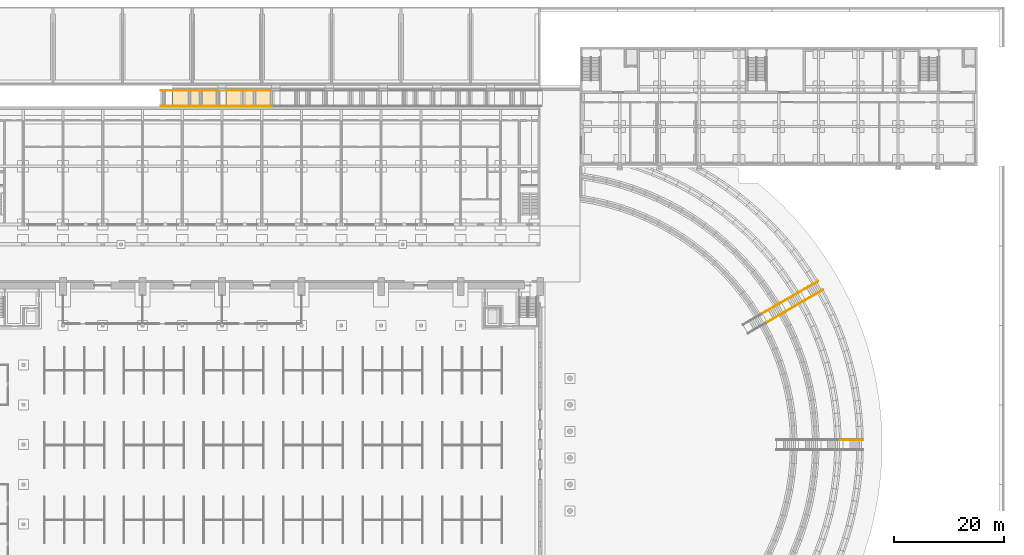
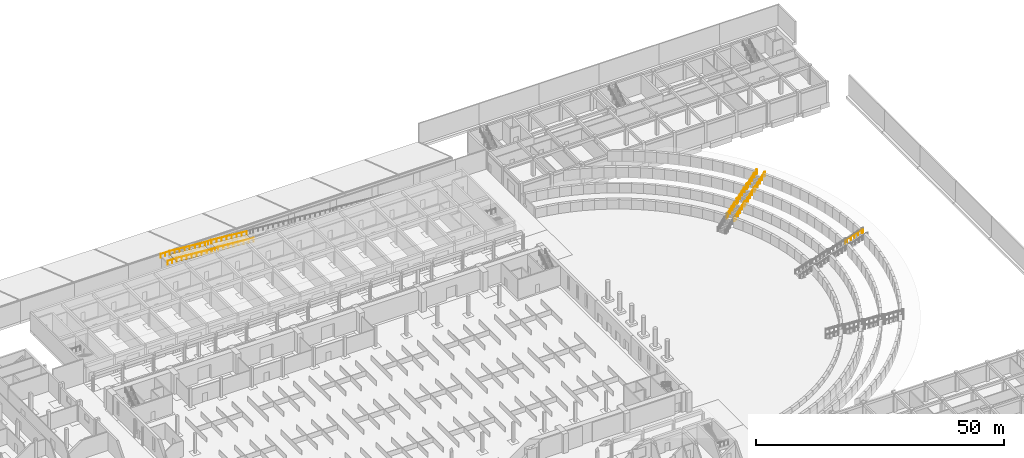
# One storey, part 71 of 73: 17 railings, 2 coverings, 4 elements without a shape of their own.
"""IFC4 building model written with IfcOpenShell, lengths in metres."""

import ifcopenshell
import ifcopenshell.guid

model = None  # the IFC model being written
_history = None  # IfcOwnerHistory: only IFC2X3 demands one
_inside = {}  # id of a spatial element -> (the spatial element, [elements in it])
_under = {}  # id of a project, library or spatial element -> (it, [spatial elements below it])
_declared = {}  # id of a project -> (the project, [libraries it declares])
_typed = {}  # id of a type object -> (the type object, [elements of that type])
_made_of = {}  # id of a material, layer set ... -> (it, [elements and type objects made of it])


def new_model(schema):
    """Start an empty IFC model of exactly this schema.

    Asked for "IFC4X3", IfcOpenShell would pick the latest addendum, in which some entities
    have other attributes; the version numbers below select the first issue.
    IFC2X3 requires an IfcOwnerHistory on every rooted entity: one is made here for all.
    """
    global model, _history
    if schema == "IFC4X3":
        model = ifcopenshell.file(schema_version=(4, 3, 0, 0))
    else:
        model = ifcopenshell.file(schema=schema)
    _inside.clear()
    _under.clear()
    _declared.clear()
    _typed.clear()
    _made_of.clear()
    _history = None
    if model.schema == "IFC2X3":
        org = make("IfcOrganization", Name="unknown")
        user = make(
            "IfcPersonAndOrganization",
            ThePerson=make("IfcPerson", FamilyName="unknown"),
            TheOrganization=org,
        )
        app = make(
            "IfcApplication",
            ApplicationDeveloper=org,
            Version="unknown",
            ApplicationFullName="unknown",
            ApplicationIdentifier="unknown",
        )
        _history = make(
            "IfcOwnerHistory",
            OwningUser=user,
            OwningApplication=app,
            ChangeAction="ADDED",
            CreationDate=0,
        )
    return model


def make(cls, **values):
    """One entity of the class cls with the attributes given. An attribute that is None is left unset."""
    return model.create_entity(
        cls, **{name: value for name, value in values.items() if value is not None}
    )


def rooted(cls, **values):
    """An entity with a GlobalId (a new one), such as an element, a storey or a relation."""
    return make(cls, GlobalId=ifcopenshell.guid.new(), OwnerHistory=_history, **values)


def si_unit(unit_type, name, prefix=None):
    """IfcSIUnit, for example si_unit("LENGTHUNIT", "METRE", prefix="MILLI")."""
    return make("IfcSIUnit", UnitType=unit_type, Prefix=prefix, Name=name)


def assignment(units):
    """IfcUnitAssignment: the units of a project."""
    return None if units is None else make("IfcUnitAssignment", Units=units)


def point(xyz):
    """IfcCartesianPoint."""
    return None if xyz is None else make("IfcCartesianPoint", Coordinates=xyz)


def direction(xyz):
    """IfcDirection."""
    return None if xyz is None else make("IfcDirection", DirectionRatios=xyz)


def frame(location, z_axis=None, x_axis=None):
    """IfcAxis2Placement3D, a coordinate frame: its origin and axes. An axis left out is left unset."""
    return make(
        "IfcAxis2Placement3D",
        Location=point(location),
        Axis=direction(z_axis),
        RefDirection=direction(x_axis),
    )


def frame_2d(location, x_axis=None):
    """IfcAxis2Placement2D, a coordinate frame in the plane: its origin and x axis."""
    return make(
        "IfcAxis2Placement2D", Location=point(location), RefDirection=direction(x_axis)
    )


def origin():
    """The frame at (0, 0, 0) with its axes left unset."""
    return frame((0.0, 0.0, 0.0))


def origin_2d():
    """The frame at (0, 0) in the plane with its x axis left unset."""
    return frame_2d((0.0, 0.0))


def place(relative_to, where):
    """IfcLocalPlacement: puts the frame where relative to a parent placement (None: the world)."""
    return make(
        "IfcLocalPlacement", PlacementRelTo=relative_to, RelativePlacement=where
    )


def context(
    kind, dimensions, precision=None, world=None, true_north=None, identifier=None
):
    """IfcGeometricRepresentationContext, for example the 3D "Model" context."""
    return make(
        "IfcGeometricRepresentationContext",
        ContextIdentifier=identifier,
        ContextType=kind,
        CoordinateSpaceDimension=dimensions,
        Precision=precision,
        WorldCoordinateSystem=world,
        TrueNorth=true_north,
    )


def subcontext(parent, identifier, kind, view, scale=None):
    """IfcGeometricRepresentationSubContext, for example "Body" below "Model"."""
    return make(
        "IfcGeometricRepresentationSubContext",
        ContextIdentifier=identifier,
        ContextType=kind,
        ParentContext=parent,
        TargetScale=scale,
        TargetView=view,
    )


def project(units=None, contexts=None):
    """IfcProject with its units and contexts."""
    return rooted(
        "IfcProject",
        Name="project",
        RepresentationContexts=contexts,
        UnitsInContext=assignment(units),
    )


def spatial(cls, under=None, at=None, **own):
    """A site, building, storey or space (cls), placed at a placement, below another one or the project."""
    s = rooted(cls, ObjectPlacement=at, **own)
    if under is not None:
        _under.setdefault(under.id(), (under, []))[1].append(s)
    return s


def polyline(points):
    """IfcPolyline through the points."""
    return make("IfcPolyline", Points=[point(p) for p in points])


def profile(cls, at=None, kind="AREA", **sizes):
    """A parametric profile (cls). Its sizes go by their IFC names, for example OverallWidth=200.0."""
    return make(cls, ProfileType=kind, Position=at, **sizes)


def circle(**sizes):
    """IfcCircleProfileDef."""
    return profile("IfcCircleProfileDef", **sizes)


def outline(outer, holes=None, kind="AREA"):
    """IfcArbitraryClosedProfileDef: a profile drawn as a closed curve; with holes, ...WithVoids."""
    if holes is None:
        return make("IfcArbitraryClosedProfileDef", ProfileType=kind, OuterCurve=outer)
    return make(
        "IfcArbitraryProfileDefWithVoids",
        ProfileType=kind,
        OuterCurve=outer,
        InnerCurves=holes,
    )


def extrude(swept, where, along, depth):
    """IfcExtrudedAreaSolid: the profile swept, set in the frame where, extruded along a direction by depth."""
    return make(
        "IfcExtrudedAreaSolid",
        SweptArea=swept,
        Position=where,
        ExtrudedDirection=direction(along),
        Depth=depth,
    )


def shape(context_of_items, identifier, shape_type, items):
    """IfcShapeRepresentation: the items that make up one representation, for example the "Body"."""
    return make(
        "IfcShapeRepresentation",
        ContextOfItems=context_of_items,
        RepresentationIdentifier=identifier,
        RepresentationType=shape_type,
        Items=items,
    )


def material(Name=None, Category=None):
    """IfcMaterial."""
    return make("IfcMaterial", Name=Name, Category=Category)


def layer(
    of_material, thickness, ventilated=None, Name=None, Category=None, Priority=None
):
    """IfcMaterialLayer: one layer of a wall or slab, of a material (None: an air gap)."""
    return make(
        "IfcMaterialLayer",
        Material=of_material,
        LayerThickness=thickness,
        IsVentilated=ventilated,
        Name=Name,
        Category=Category,
        Priority=Priority,
    )


def layer_set(layers, Name=None):
    """IfcMaterialLayerSet."""
    return make("IfcMaterialLayerSet", MaterialLayers=layers, LayerSetName=Name)


def made_of(thing, what):
    """Note that an element or type object is made of a material, layer set ...; save() writes the relation."""
    if what is not None:
        _made_of.setdefault(what.id(), (what, []))[1].append(thing)
    return thing


def type_object(cls, material=None, **own):
    """A type object (cls), such as IfcWallType, which elements share."""
    return made_of(rooted(cls, **own), material)


def element(
    cls,
    number,
    at=None,
    inside=None,
    cuts=None,
    type_object=None,
    material=None,
    context=None,
    identifier="Body",
    shape_type=None,
    held_by="IfcProductDefinitionShape",
    body=None,
    shapes=None,
    **own,
):
    """One element of the class cls, such as IfcWall. Its Tag is "e" and its number.

    at: its placement. inside: the storey or other place that contains it. cuts: it is an
    opening in that element (IfcRelVoidsElement). A single representation is given by context,
    identifier, shape_type and body (its items); several are given by shapes. held_by: the class
    of the entity that holds the representations. save() writes the other relations.
    """
    e = rooted(cls, Tag="e%d" % number, ObjectPlacement=at, **own)
    if body is not None:
        shapes = [shape(context, identifier, shape_type, body)]
    if shapes is not None:
        e.Representation = make(held_by, Representations=shapes)
    if inside is not None:
        _inside.setdefault(inside.id(), (inside, []))[1].append(e)
    if cuts is not None:
        rooted(
            "IfcRelVoidsElement", RelatingBuildingElement=cuts, RelatedOpeningElement=e
        )
    if type_object is not None:
        _typed.setdefault(type_object.id(), (type_object, []))[1].append(e)
    return made_of(e, material)


def aggregate(whole, parts):
    """IfcRelAggregates: a whole, such as a stair, and the parts it consists of."""
    return rooted("IfcRelAggregates", RelatingObject=whole, RelatedObjects=parts)


def save(model, path):
    """Write the relations noted so far, then the file.

    IfcRelAggregates (storeys below a building ...), IfcRelContainedInSpatialStructure (elements
    in a storey), IfcRelDefinesByType, IfcRelAssociatesMaterial and IfcRelDeclares: one each for
    every whole, place, type object, material and project.
    """
    for whole, parts in _under.values():
        aggregate(whole, parts)
    for where, things in _inside.values():
        rooted(
            "IfcRelContainedInSpatialStructure",
            RelatedElements=things,
            RelatingStructure=where,
        )
    for kind, things in _typed.values():
        rooted("IfcRelDefinesByType", RelatedObjects=things, RelatingType=kind)
    for what, things in _made_of.values():
        rooted("IfcRelAssociatesMaterial", RelatedObjects=things, RelatingMaterial=what)
    for by, libraries in _declared.values():
        rooted("IfcRelDeclares", RelatingContext=by, RelatedDefinitions=libraries)
    model.write(path)


model = new_model("IFC4")

# Units and contexts
model_context = context("Model", 3, precision=1e-05, world=origin(), true_north=direction((0.0, 1.0)))
body_context = subcontext(model_context, "Body", "Model", "MODEL_VIEW")
ifc_project = project(units=[si_unit("LENGTHUNIT", "METRE"), si_unit("AREAUNIT", "SQUARE_METRE"), si_unit("VOLUMEUNIT", "CUBIC_METRE"), si_unit("PLANEANGLEUNIT", "RADIAN"), si_unit("MASSUNIT", "GRAM", prefix="KILO")], contexts=[model_context])

# Site, building, storey
site_placement = place(None, origin())
site = spatial("IfcSite", under=ifc_project, at=site_placement, CompositionType="ELEMENT")
building_placement = place(site_placement, origin())
building = spatial("IfcBuilding", under=site, at=building_placement, Name="Alderwick Market Hall", CompositionType="ELEMENT")
storey_placement = place(building_placement, origin())
storey = spatial("IfcBuildingStorey", under=building, at=storey_placement, Name="LG", CompositionType="ELEMENT", Elevation=0.0)

# Stair, railings
ifc_material_1 = material(Name="Concrete 5000 psi (f'c 35 MPa)", Category="concrete")
stair_type = type_object("IfcStairType", Name="S Garden Stair", PredefinedType="STRAIGHT_RUN_STAIR", material=ifc_material_1)
stair_1_placement = place(storey_placement, origin())
stair_1 = element("IfcStair", 1, at=stair_1_placement, inside=storey, type_object=stair_type, Name="Terrace stair 2.3", PredefinedType="STRAIGHT_RUN_STAIR")
ifc_material_2 = material(Name="Steel ASTM A500 Grade C", Category="steel")
railing_type_1 = type_object("IfcRailingType", Name="S Guard 1100", PredefinedType="GUARDRAIL", material=ifc_material_2)
railing_1_placement = place(storey_placement, frame((190.95849609375, 102.731689453125, 1.050048828125)))
railing_1 = element("IfcRailing", 2, at=railing_1_placement, type_object=railing_type_1, Name="Stair 2.3 guard L", PredefinedType="GUARDRAIL", context=body_context, shape_type="SweptSolid", body=[
    extrude(circle(Radius=0.02490234375, at=origin_2d()), frame((0.0, 0.0, 1.0751953125), z_axis=(0.817718032598, 0.472768306617, 0.328370746904), x_axis=(-0.5005228413, 0.865723330711, 0.0)), (0.0, 0.0, 1.0), 0.45654296875),
    extrude(circle(Radius=0.02490234375, at=origin_2d()), frame((0.373291015625, 0.2158203125, 1.22509765625), z_axis=(0.817951966849, 0.4722706813, 0.328504160571), x_axis=(-0.500020560727, 0.866013532718, 0.0)), (0.0, 0.0, 1.0), 3.65283203125),
    extrude(circle(Radius=0.02490234375, at=origin_2d()), frame((3.361083984375, 1.94091796875, 2.4248046875), z_axis=(0.866131372301, 0.499816412211, 0.0), x_axis=(-0.499816412211, 0.866131372301, 0.0)), (0.0, 0.0, 1.0), 0.2998046875),
    extrude(circle(Radius=0.02001953125, at=origin_2d()), origin(), (0.0, 0.0, 1.0), 1.050048828125),
    extrude(circle(Radius=0.02001953125, at=origin_2d()), frame((0.373291015625, 0.2158203125, 0.14990234375)), (0.0, 0.0, 1.0), 1.050048828125),
    extrude(circle(Radius=0.02001953125, at=origin_2d()), frame((1.1201171875, 0.64697265625, 0.449951171875)), (0.0, 0.0, 1.0), 1.050048828125),
    extrude(circle(Radius=0.02001953125, at=origin_2d()), frame((1.8671875, 1.078369140625, 0.75)), (0.0, 0.0, 1.0), 1.050048828125),
    extrude(circle(Radius=0.02001953125, at=origin_2d()), frame((2.6142578125, 1.509765625, 1.0498046875)), (0.0, 0.0, 1.0), 1.050048828125),
    extrude(circle(Radius=0.02001953125, at=origin_2d()), frame((3.361083984375, 1.94091796875, 1.349853515625)), (0.0, 0.0, 1.0), 1.050048828125),
    extrude(circle(Radius=0.02001953125, at=origin_2d()), frame((3.620849609375, 2.0908203125, 1.349853515625)), (0.0, 0.0, 1.0), 1.050048828125),
])
railing_2_placement = place(storey_placement, frame((191.908447265625, 101.08642578125, 1.050048828125)))
railing_2 = element("IfcRailing", 3, at=railing_2_placement, type_object=railing_type_1, Name="Stair 2.3 guard R", PredefinedType="GUARDRAIL", context=body_context, shape_type="SweptSolid", body=[
    extrude(circle(Radius=0.02490234375, at=origin_2d()), frame((0.0, 0.0, 1.0751953125), z_axis=(0.817924745205, 0.472352877708, 0.328453756413), x_axis=(-0.500098305348, 0.865968639725, 0.0)), (0.0, 0.0, 1.0), 0.456298828125),
    extrude(circle(Radius=0.02490234375, at=origin_2d()), frame((0.373291015625, 0.215576171875, 1.22509765625), z_axis=(0.817951966849, 0.4722706813, 0.328504160571), x_axis=(-0.500020560727, 0.866013532718, 0.0)), (0.0, 0.0, 1.0), 3.65283203125),
    extrude(circle(Radius=0.02490234375, at=origin_2d()), frame((3.361083984375, 1.940673828125, 2.4248046875), z_axis=(0.866131372301, 0.499816412211, 0.0), x_axis=(-0.499816412211, 0.866131372301, 0.0)), (0.0, 0.0, 1.0), 0.2998046875),
    extrude(circle(Radius=0.02001953125, at=origin_2d()), origin(), (0.0, 0.0, 1.0), 1.050048828125),
    extrude(circle(Radius=0.02001953125, at=origin_2d()), frame((0.373291015625, 0.215576171875, 0.14990234375)), (0.0, 0.0, 1.0), 1.050048828125),
    extrude(circle(Radius=0.02001953125, at=origin_2d()), frame((1.1201171875, 0.64697265625, 0.449951171875)), (0.0, 0.0, 1.0), 1.050048828125),
    extrude(circle(Radius=0.02001953125, at=origin_2d()), frame((1.8671875, 1.078125, 0.75)), (0.0, 0.0, 1.0), 1.050048828125),
    extrude(circle(Radius=0.02001953125, at=origin_2d()), frame((2.6142578125, 1.50927734375, 1.0498046875)), (0.0, 0.0, 1.0), 1.050048828125),
    extrude(circle(Radius=0.02001953125, at=origin_2d()), frame((3.361083984375, 1.940673828125, 1.349853515625)), (0.0, 0.0, 1.0), 1.050048828125),
    extrude(circle(Radius=0.02001953125, at=origin_2d()), frame((3.620849609375, 2.090576171875, 1.349853515625)), (0.0, 0.0, 1.0), 1.050048828125),
])

stair_2_placement = place(storey_placement, origin())
stair_2 = element("IfcStair", 4, at=stair_2_placement, inside=storey, type_object=stair_type, Name="Terrace stair 3.3", PredefinedType="STRAIGHT_RUN_STAIR")
railing_3_placement = place(storey_placement, frame((194.423095703125, 104.732421875, 2.25)))
railing_3 = element("IfcRailing", 5, at=railing_3_placement, type_object=railing_type_1, Name="Stair 3.3 guard L", PredefinedType="GUARDRAIL", context=body_context, shape_type="SweptSolid", body=[
    extrude(circle(Radius=0.02490234375, at=origin_2d()), frame((0.0, 0.0, 1.0751953125), z_axis=(0.818101694041, 0.472146271789, 0.328310091595), x_axis=(-0.499853131152, 0.86611018195, 0.0)), (0.0, 0.0, 1.0), 0.45654296875),
    extrude(circle(Radius=0.02490234375, at=origin_2d()), frame((0.37353515625, 0.215576171875, 1.22509765625), z_axis=(0.817959822953, 0.472208379569, 0.328574153427), x_axis=(-0.499967486139, 0.866044174857, 0.0)), (0.0, 0.0, 1.0), 3.65283203125),
    extrude(circle(Radius=0.02490234375, at=origin_2d()), frame((3.361328125, 1.9404296875, 2.42529296875), z_axis=(0.865778900179, 0.500426713919, 0.0), x_axis=(-0.500426713919, 0.865778900179, 0.0)), (0.0, 0.0, 1.0), 0.300048828125),
    extrude(circle(Radius=0.02001953125, at=origin_2d()), origin(), (0.0, 0.0, 1.0), 1.050048828125),
    extrude(circle(Radius=0.02001953125, at=origin_2d()), frame((0.37353515625, 0.215576171875, 0.14990234375)), (0.0, 0.0, 1.0), 1.050048828125),
    extrude(circle(Radius=0.02001953125, at=origin_2d()), frame((1.12060546875, 0.646728515625, 0.449951171875)), (0.0, 0.0, 1.0), 1.050048828125),
    extrude(circle(Radius=0.02001953125, at=origin_2d()), frame((1.867431640625, 1.078125, 0.75)), (0.0, 0.0, 1.0), 1.050048828125),
    extrude(circle(Radius=0.02001953125, at=origin_2d()), frame((2.6142578125, 1.50927734375, 1.050048828125)), (0.0, 0.0, 1.0), 1.050048828125),
    extrude(circle(Radius=0.02001953125, at=origin_2d()), frame((3.361328125, 1.9404296875, 1.35009765625)), (0.0, 0.0, 1.0), 1.050048828125),
    extrude(circle(Radius=0.02001953125, at=origin_2d()), frame((3.62109375, 2.090576171875, 1.35009765625)), (0.0, 0.0, 1.0), 1.050048828125),
])
railing_4_placement = place(storey_placement, frame((195.373291015625, 103.0869140625, 2.25)))
railing_4 = element("IfcRailing", 6, at=railing_4_placement, type_object=railing_type_1, Name="Stair 3.3 guard R", PredefinedType="GUARDRAIL", context=body_context, shape_type="SweptSolid", body=[
    extrude(circle(Radius=0.02490234375, at=origin_2d()), frame((0.0, 0.0, 1.0751953125), z_axis=(0.817924745205, 0.472352877708, 0.328453756413), x_axis=(-0.500098305348, 0.865968639725, 0.0)), (0.0, 0.0, 1.0), 0.456298828125),
    extrude(circle(Radius=0.02490234375, at=origin_2d()), frame((0.373291015625, 0.215576171875, 1.22509765625), z_axis=(0.817959822953, 0.472208379569, 0.328574153427), x_axis=(-0.499967486139, 0.866044174857, 0.0)), (0.0, 0.0, 1.0), 3.65283203125),
    extrude(circle(Radius=0.02490234375, at=origin_2d()), frame((3.361083984375, 1.9404296875, 2.42529296875), z_axis=(0.865778900179, 0.500426713919, 0.0), x_axis=(-0.500426713919, 0.865778900179, 0.0)), (0.0, 0.0, 1.0), 0.300048828125),
    extrude(circle(Radius=0.02001953125, at=origin_2d()), origin(), (0.0, 0.0, 1.0), 1.050048828125),
    extrude(circle(Radius=0.02001953125, at=origin_2d()), frame((0.373291015625, 0.215576171875, 0.14990234375)), (0.0, 0.0, 1.0), 1.050048828125),
    extrude(circle(Radius=0.02001953125, at=origin_2d()), frame((1.1201171875, 0.646728515625, 0.449951171875)), (0.0, 0.0, 1.0), 1.050048828125),
    extrude(circle(Radius=0.02001953125, at=origin_2d()), frame((1.8671875, 1.078125, 0.75)), (0.0, 0.0, 1.0), 1.050048828125),
    extrude(circle(Radius=0.02001953125, at=origin_2d()), frame((2.6142578125, 1.50927734375, 1.050048828125)), (0.0, 0.0, 1.0), 1.050048828125),
    extrude(circle(Radius=0.02001953125, at=origin_2d()), frame((3.361083984375, 1.9404296875, 1.35009765625)), (0.0, 0.0, 1.0), 1.050048828125),
    extrude(circle(Radius=0.02001953125, at=origin_2d()), frame((3.620849609375, 2.090576171875, 1.35009765625)), (0.0, 0.0, 1.0), 1.050048828125),
])

stair_3_placement = place(storey_placement, origin())
stair_3 = element("IfcStair", 7, at=stair_3_placement, inside=storey, type_object=stair_type, Name="Terrace stair 4.3", PredefinedType="STRAIGHT_RUN_STAIR")
railing_5_placement = place(storey_placement, frame((197.887939453125, 106.732666015625, 3.449951171875)))
railing_5 = element("IfcRailing", 8, at=railing_5_placement, type_object=railing_type_1, Name="Stair 4.3 guard L", PredefinedType="GUARDRAIL", context=body_context, shape_type="SweptSolid", body=[
    extrude(circle(Radius=0.02490234375, at=origin_2d()), frame((0.0, 0.0, 1.0751953125), z_axis=(0.817780953967, 0.472269838033, 0.328930861144), x_axis=(-0.500098305348, 0.865968639725, 0.0)), (0.0, 0.0, 1.0), 0.45654296875),
    extrude(circle(Radius=0.02490234375, at=origin_2d()), frame((0.373291015625, 0.215576171875, 1.22509765625), z_axis=(0.817977785049, 0.472218749091, 0.328514529622), x_axis=(-0.499967486139, 0.866044174857, 0.0)), (0.0, 0.0, 1.0), 3.652587890625),
    extrude(circle(Radius=0.02490234375, at=origin_2d()), frame((3.361083984375, 1.9404296875, 2.42529296875), z_axis=(0.865778900179, 0.500426713919, 0.0), x_axis=(-0.500426713919, 0.865778900179, 0.0)), (0.0, 0.0, 1.0), 0.300048828125),
    extrude(circle(Radius=0.02001953125, at=origin_2d()), origin(), (0.0, 0.0, 1.0), 1.050048828125),
    extrude(circle(Radius=0.02001953125, at=origin_2d()), frame((0.373291015625, 0.215576171875, 0.150146484375)), (0.0, 0.0, 1.0), 1.050048828125),
    extrude(circle(Radius=0.02001953125, at=origin_2d()), frame((1.1201171875, 0.646728515625, 0.4501953125)), (0.0, 0.0, 1.0), 1.050048828125),
    extrude(circle(Radius=0.02001953125, at=origin_2d()), frame((1.8671875, 1.078125, 0.75)), (0.0, 0.0, 1.0), 1.050048828125),
    extrude(circle(Radius=0.02001953125, at=origin_2d()), frame((2.6142578125, 1.50927734375, 1.050048828125)), (0.0, 0.0, 1.0), 1.050048828125),
    extrude(circle(Radius=0.02001953125, at=origin_2d()), frame((3.361083984375, 1.9404296875, 1.35009765625)), (0.0, 0.0, 1.0), 1.050048828125),
    extrude(circle(Radius=0.02001953125, at=origin_2d()), frame((3.620849609375, 2.090576171875, 1.35009765625)), (0.0, 0.0, 1.0), 1.050048828125),
])
railing_6_placement = place(storey_placement, frame((198.837890625, 105.087158203125, 3.449951171875)))
railing_6 = element("IfcRailing", 9, at=railing_6_placement, type_object=railing_type_1, Name="Stair 4.3 guard R", PredefinedType="GUARDRAIL", context=body_context, shape_type="SweptSolid", body=[
    extrude(circle(Radius=0.02490234375, at=origin_2d()), frame((0.0, 0.0, 1.0751953125), z_axis=(0.817780953967, 0.472269838033, 0.328930861144), x_axis=(-0.500098305348, 0.865968639725, 0.0)), (0.0, 0.0, 1.0), 0.45654296875),
    extrude(circle(Radius=0.02490234375, at=origin_2d()), frame((0.373291015625, 0.215576171875, 1.22509765625), z_axis=(0.817974085067, 0.472244863558, 0.328486202149), x_axis=(-0.49998991961, 0.866031223622, 0.0)), (0.0, 0.0, 1.0), 3.653076171875),
    extrude(circle(Radius=0.02490234375, at=origin_2d()), frame((3.361328125, 1.940673828125, 2.42529296875), z_axis=(0.866131372301, 0.499816412211, 0.0), x_axis=(-0.499816412211, 0.866131372301, 0.0)), (0.0, 0.0, 1.0), 0.2998046875),
    extrude(circle(Radius=0.02001953125, at=origin_2d()), origin(), (0.0, 0.0, 1.0), 1.050048828125),
    extrude(circle(Radius=0.02001953125, at=origin_2d()), frame((0.373291015625, 0.215576171875, 0.150146484375)), (0.0, 0.0, 1.0), 1.050048828125),
    extrude(circle(Radius=0.02001953125, at=origin_2d()), frame((1.120361328125, 0.64697265625, 0.4501953125)), (0.0, 0.0, 1.0), 1.050048828125),
    extrude(circle(Radius=0.02001953125, at=origin_2d()), frame((1.8671875, 1.078125, 0.75)), (0.0, 0.0, 1.0), 1.050048828125),
    extrude(circle(Radius=0.02001953125, at=origin_2d()), frame((2.6142578125, 1.50927734375, 1.050048828125)), (0.0, 0.0, 1.0), 1.050048828125),
    extrude(circle(Radius=0.02001953125, at=origin_2d()), frame((3.361328125, 1.940673828125, 1.35009765625)), (0.0, 0.0, 1.0), 1.050048828125),
    extrude(circle(Radius=0.02001953125, at=origin_2d()), frame((3.62109375, 2.090576171875, 1.35009765625)), (0.0, 0.0, 1.0), 1.050048828125),
])

# Railing
railing_type_2 = type_object("IfcRailingType", Name="S Handrail 900", PredefinedType="HANDRAIL", material=ifc_material_2)
railing_7_placement = place(storey_placement, frame((191.00830078125, 102.645263671875, 1.050048828125)))
railing_7 = element("IfcRailing", 10, at=railing_7_placement, type_object=railing_type_2, Name="Stair 2.3 handrail L", PredefinedType="HANDRAIL", context=body_context, shape_type="SweptSolid", body=[
    extrude(circle(Radius=0.02490234375, at=origin_2d()), frame((0.0, 0.0, 0.875), z_axis=(0.818101694041, 0.472146271789, 0.328310091595), x_axis=(-0.499853131152, 0.86611018195, 0.0)), (0.0, 0.0, 1.0), 0.45654296875),
    extrude(circle(Radius=0.02490234375, at=origin_2d()), frame((0.37353515625, 0.215576171875, 1.02490234375), z_axis=(0.817951966849, 0.4722706813, 0.328504160571), x_axis=(-0.500020560727, 0.866013532718, 0.0)), (0.0, 0.0, 1.0), 3.65283203125),
    extrude(circle(Radius=0.02490234375, at=origin_2d()), frame((3.361328125, 1.940673828125, 2.224609375), z_axis=(0.866131372301, 0.499816412211, 0.0), x_axis=(-0.499816412211, 0.866131372301, 0.0)), (0.0, 0.0, 1.0), 0.2998046875),
    extrude(circle(Radius=0.02001953125, at=origin_2d()), origin(), (0.0, 0.0, 1.0), 0.849853515625),
    extrude(circle(Radius=0.02001953125, at=origin_2d()), frame((0.37353515625, 0.215576171875, 0.14990234375)), (0.0, 0.0, 1.0), 0.849853515625),
    extrude(circle(Radius=0.02001953125, at=origin_2d()), frame((1.12060546875, 0.64697265625, 0.449951171875)), (0.0, 0.0, 1.0), 0.849853515625),
    extrude(circle(Radius=0.02001953125, at=origin_2d()), frame((1.867431640625, 1.078125, 0.75)), (0.0, 0.0, 1.0), 0.849853515625),
    extrude(circle(Radius=0.02001953125, at=origin_2d()), frame((2.6142578125, 1.50927734375, 1.0498046875)), (0.0, 0.0, 1.0), 0.849853515625),
    extrude(circle(Radius=0.02001953125, at=origin_2d()), frame((3.361328125, 1.940673828125, 1.349853515625)), (0.0, 0.0, 1.0), 0.849853515625),
    extrude(circle(Radius=0.02001953125, at=origin_2d()), frame((3.62109375, 2.090576171875, 1.349853515625)), (0.0, 0.0, 1.0), 0.849853515625),
])

railing_8_placement = place(storey_placement, frame((191.8583984375, 101.173095703125, 1.050048828125)))
railing_8 = element("IfcRailing", 11, at=railing_8_placement, type_object=railing_type_2, Name="Stair 2.3 handrail R", PredefinedType="HANDRAIL", context=body_context, shape_type="SweptSolid", body=[
    extrude(circle(Radius=0.02490234375, at=origin_2d()), frame((0.0, 0.0, 0.875), z_axis=(0.817924745205, 0.472352877708, 0.328453756413), x_axis=(-0.500098305348, 0.865968639725, 0.0)), (0.0, 0.0, 1.0), 0.456298828125),
    extrude(circle(Radius=0.02490234375, at=origin_2d()), frame((0.373291015625, 0.215576171875, 1.02490234375), z_axis=(0.817977785049, 0.472218749091, 0.328514529622), x_axis=(-0.499967486139, 0.866044174857, 0.0)), (0.0, 0.0, 1.0), 3.652587890625),
    extrude(circle(Radius=0.02490234375, at=origin_2d()), frame((3.361083984375, 1.9404296875, 2.224609375), z_axis=(0.865982457891, 0.500074377092, 0.0), x_axis=(-0.500074377092, 0.865982457891, 0.0)), (0.0, 0.0, 1.0), 0.30029296875),
    extrude(circle(Radius=0.02001953125, at=origin_2d()), origin(), (0.0, 0.0, 1.0), 0.849853515625),
    extrude(circle(Radius=0.02001953125, at=origin_2d()), frame((0.373291015625, 0.215576171875, 0.14990234375)), (0.0, 0.0, 1.0), 0.849853515625),
    extrude(circle(Radius=0.02001953125, at=origin_2d()), frame((1.1201171875, 0.646728515625, 0.449951171875)), (0.0, 0.0, 1.0), 0.849853515625),
    extrude(circle(Radius=0.02001953125, at=origin_2d()), frame((1.8671875, 1.078125, 0.75)), (0.0, 0.0, 1.0), 0.849853515625),
    extrude(circle(Radius=0.02001953125, at=origin_2d()), frame((2.6142578125, 1.50927734375, 1.0498046875)), (0.0, 0.0, 1.0), 0.849853515625),
    extrude(circle(Radius=0.02001953125, at=origin_2d()), frame((3.361083984375, 1.9404296875, 1.349853515625)), (0.0, 0.0, 1.0), 0.849853515625),
    extrude(circle(Radius=0.02001953125, at=origin_2d()), frame((3.62109375, 2.090576171875, 1.349853515625)), (0.0, 0.0, 1.0), 0.849853515625),
])

aggregate(stair_1, [railing_1, railing_7, railing_2, railing_8])

railing_9_placement = place(storey_placement, frame((194.47314453125, 104.6455078125, 2.25)))
railing_9 = element("IfcRailing", 12, at=railing_9_placement, type_object=railing_type_2, Name="Stair 3.3 handrail L", PredefinedType="HANDRAIL", context=body_context, shape_type="SweptSolid", body=[
    extrude(circle(Radius=0.02490234375, at=origin_2d()), frame((0.0, 0.0, 0.875), z_axis=(0.817895117476, 0.472561623431, 0.328227190935), x_axis=(-0.500277597875, 0.865865073245, 0.0)), (0.0, 0.0, 1.0), 0.456787109375),
    extrude(circle(Radius=0.02490234375, at=origin_2d()), frame((0.37353515625, 0.2158203125, 1.02490234375), z_axis=(0.817959822953, 0.472208379569, 0.328574153427), x_axis=(-0.499967486139, 0.866044174857, 0.0)), (0.0, 0.0, 1.0), 3.65283203125),
    extrude(circle(Radius=0.02490234375, at=origin_2d()), frame((3.361328125, 1.940673828125, 2.22509765625), z_axis=(0.865778900179, 0.500426713919, 0.0), x_axis=(-0.500426713919, 0.865778900179, 0.0)), (0.0, 0.0, 1.0), 0.300048828125),
    extrude(circle(Radius=0.02001953125, at=origin_2d()), origin(), (0.0, 0.0, 1.0), 0.849853515625),
    extrude(circle(Radius=0.02001953125, at=origin_2d()), frame((0.37353515625, 0.2158203125, 0.14990234375)), (0.0, 0.0, 1.0), 0.849853515625),
    extrude(circle(Radius=0.02001953125, at=origin_2d()), frame((1.12060546875, 0.64697265625, 0.449951171875)), (0.0, 0.0, 1.0), 0.849853515625),
    extrude(circle(Radius=0.02001953125, at=origin_2d()), frame((1.867431640625, 1.078125, 0.75)), (0.0, 0.0, 1.0), 0.849853515625),
    extrude(circle(Radius=0.02001953125, at=origin_2d()), frame((2.6142578125, 1.509521484375, 1.050048828125)), (0.0, 0.0, 1.0), 0.849853515625),
    extrude(circle(Radius=0.02001953125, at=origin_2d()), frame((3.361328125, 1.940673828125, 1.35009765625)), (0.0, 0.0, 1.0), 0.849853515625),
    extrude(circle(Radius=0.02001953125, at=origin_2d()), frame((3.62109375, 2.0908203125, 1.35009765625)), (0.0, 0.0, 1.0), 0.849853515625),
])

railing_10_placement = place(storey_placement, frame((195.3232421875, 103.17333984375, 2.25)))
railing_10 = element("IfcRailing", 13, at=railing_10_placement, type_object=railing_type_2, Name="Stair 3.3 handrail R", PredefinedType="HANDRAIL", context=body_context, shape_type="SweptSolid", body=[
    extrude(circle(Radius=0.02490234375, at=origin_2d()), frame((0.0, 0.0, 0.875), z_axis=(0.817924745205, 0.472352877708, 0.328453756413), x_axis=(-0.500098305348, 0.865968639725, 0.0)), (0.0, 0.0, 1.0), 0.456298828125),
    extrude(circle(Radius=0.02490234375, at=origin_2d()), frame((0.373291015625, 0.215576171875, 1.02490234375), z_axis=(0.817934006453, 0.472260311293, 0.328563782948), x_axis=(-0.500020560727, 0.866013532718, 0.0)), (0.0, 0.0, 1.0), 3.65283203125),
    extrude(circle(Radius=0.02490234375, at=origin_2d()), frame((3.361083984375, 1.940673828125, 2.22509765625), z_axis=(0.866131372301, 0.499816412211, 0.0), x_axis=(-0.499816412211, 0.866131372301, 0.0)), (0.0, 0.0, 1.0), 0.2998046875),
    extrude(circle(Radius=0.02001953125, at=origin_2d()), origin(), (0.0, 0.0, 1.0), 0.849853515625),
    extrude(circle(Radius=0.02001953125, at=origin_2d()), frame((0.373291015625, 0.215576171875, 0.14990234375)), (0.0, 0.0, 1.0), 0.849853515625),
    extrude(circle(Radius=0.02001953125, at=origin_2d()), frame((1.1201171875, 0.64697265625, 0.449951171875)), (0.0, 0.0, 1.0), 0.849853515625),
    extrude(circle(Radius=0.02001953125, at=origin_2d()), frame((1.8671875, 1.078125, 0.75)), (0.0, 0.0, 1.0), 0.849853515625),
    extrude(circle(Radius=0.02001953125, at=origin_2d()), frame((2.6142578125, 1.50927734375, 1.050048828125)), (0.0, 0.0, 1.0), 0.849853515625),
    extrude(circle(Radius=0.02001953125, at=origin_2d()), frame((3.361083984375, 1.940673828125, 1.35009765625)), (0.0, 0.0, 1.0), 0.849853515625),
    extrude(circle(Radius=0.02001953125, at=origin_2d()), frame((3.620849609375, 2.090576171875, 1.35009765625)), (0.0, 0.0, 1.0), 0.849853515625),
])

aggregate(stair_2, [railing_3, railing_9, railing_4, railing_10])

# Stair, railing
stair_4_placement = place(storey_placement, origin())
stair_4 = element("IfcStair", 14, at=stair_4_placement, inside=storey, type_object=stair_type, Name="Terrace stair 4.2", PredefinedType="STRAIGHT_RUN_STAIR")
railing_11_placement = place(storey_placement, frame((205.519775390625, 80.050048828125, 3.449951171875)))
railing_11 = element("IfcRailing", 15, at=railing_11_placement, type_object=railing_type_2, Name="Stair 4.2 handrail L", PredefinedType="HANDRAIL", context=body_context, shape_type="SweptSolid", body=[
    extrude(circle(Radius=0.02490234375, at=origin_2d()), frame((0.0, 0.0, 0.875), z_axis=(0.944374089357, 0.0, 0.328873196463), x_axis=(0.0, 1.0, 0.0)), (0.0, 0.0, 1.0), 0.45654296875),
    extrude(circle(Radius=0.02490234375, at=origin_2d()), frame((0.43115234375, 0.0, 1.02490234375), z_axis=(0.944499501787, 0.0, 0.328512847731), x_axis=(0.0, 1.0, 0.0)), (0.0, 0.0, 1.0), 3.652587890625),
    extrude(circle(Radius=0.02490234375, at=origin_2d()), frame((3.881103515625, 0.0, 2.22509765625), z_axis=(1.0, 0.0, 0.0), x_axis=(0.0, 1.0, 0.0)), (0.0, 0.0, 1.0), 0.300048828125),
    extrude(circle(Radius=0.02001953125, at=origin_2d()), origin(), (0.0, 0.0, 1.0), 0.849853515625),
    extrude(circle(Radius=0.02001953125, at=origin_2d()), frame((0.43115234375, 0.0, 0.150146484375)), (0.0, 0.0, 1.0), 0.849853515625),
    extrude(circle(Radius=0.02001953125, at=origin_2d()), frame((1.293701171875, 0.0, 0.4501953125)), (0.0, 0.0, 1.0), 0.849853515625),
    extrude(circle(Radius=0.02001953125, at=origin_2d()), frame((2.15625, 0.0, 0.75)), (0.0, 0.0, 1.0), 0.849853515625),
    extrude(circle(Radius=0.02001953125, at=origin_2d()), frame((3.0185546875, 0.0, 1.050048828125)), (0.0, 0.0, 1.0), 0.849853515625),
    extrude(circle(Radius=0.02001953125, at=origin_2d()), frame((3.881103515625, 0.0, 1.35009765625)), (0.0, 0.0, 1.0), 0.849853515625),
    extrude(circle(Radius=0.02001953125, at=origin_2d()), frame((4.18115234375, 0.0, 1.35009765625)), (0.0, 0.0, 1.0), 0.849853515625),
])
aggregate(stair_4, [railing_11])

# Railing
railing_12_placement = place(storey_placement, frame((197.93798828125, 106.64599609375, 3.449951171875)))
railing_12 = element("IfcRailing", 16, at=railing_12_placement, type_object=railing_type_2, Name="Stair 4.3 handrail L", PredefinedType="HANDRAIL", context=body_context, shape_type="SweptSolid", body=[
    extrude(circle(Radius=0.02490234375, at=origin_2d()), frame((0.0, 0.0, 0.875), z_axis=(0.817780953967, 0.472269838033, 0.328930861144), x_axis=(-0.500098305348, 0.865968639725, 0.0)), (0.0, 0.0, 1.0), 0.45654296875),
    extrude(circle(Radius=0.02490234375, at=origin_2d()), frame((0.373291015625, 0.215576171875, 1.02490234375), z_axis=(0.817951966849, 0.4722706813, 0.328504160571), x_axis=(-0.500020560727, 0.866013532718, 0.0)), (0.0, 0.0, 1.0), 3.65283203125),
    extrude(circle(Radius=0.02490234375, at=origin_2d()), frame((3.361083984375, 1.940673828125, 2.22509765625), z_axis=(0.866131372301, 0.499816412211, 0.0), x_axis=(-0.499816412211, 0.866131372301, 0.0)), (0.0, 0.0, 1.0), 0.2998046875),
    extrude(circle(Radius=0.02001953125, at=origin_2d()), origin(), (0.0, 0.0, 1.0), 0.849853515625),
    extrude(circle(Radius=0.02001953125, at=origin_2d()), frame((0.373291015625, 0.215576171875, 0.150146484375)), (0.0, 0.0, 1.0), 0.849853515625),
    extrude(circle(Radius=0.02001953125, at=origin_2d()), frame((1.1201171875, 0.64697265625, 0.4501953125)), (0.0, 0.0, 1.0), 0.849853515625),
    extrude(circle(Radius=0.02001953125, at=origin_2d()), frame((1.8671875, 1.078125, 0.75)), (0.0, 0.0, 1.0), 0.849853515625),
    extrude(circle(Radius=0.02001953125, at=origin_2d()), frame((2.6142578125, 1.50927734375, 1.050048828125)), (0.0, 0.0, 1.0), 0.849853515625),
    extrude(circle(Radius=0.02001953125, at=origin_2d()), frame((3.361083984375, 1.940673828125, 1.35009765625)), (0.0, 0.0, 1.0), 0.849853515625),
    extrude(circle(Radius=0.02001953125, at=origin_2d()), frame((3.620849609375, 2.090576171875, 1.35009765625)), (0.0, 0.0, 1.0), 0.849853515625),
])

railing_13_placement = place(storey_placement, frame((198.787841796875, 105.173828125, 3.449951171875)))
railing_13 = element("IfcRailing", 17, at=railing_13_placement, type_object=railing_type_2, Name="Stair 4.3 handrail R", PredefinedType="HANDRAIL", context=body_context, shape_type="SweptSolid", body=[
    extrude(circle(Radius=0.02490234375, at=origin_2d()), frame((0.0, 0.0, 0.875), z_axis=(0.817957997449, 0.472063341012, 0.32878703819), x_axis=(-0.499853131152, 0.86611018195, 0.0)), (0.0, 0.0, 1.0), 0.456787109375),
    extrude(circle(Radius=0.02490234375, at=origin_2d()), frame((0.37353515625, 0.215576171875, 1.02490234375), z_axis=(0.817951966849, 0.4722706813, 0.328504160571), x_axis=(-0.500020560727, 0.866013532718, 0.0)), (0.0, 0.0, 1.0), 3.65283203125),
    extrude(circle(Radius=0.02490234375, at=origin_2d()), frame((3.361328125, 1.940673828125, 2.22509765625), z_axis=(0.866131372301, 0.499816412211, 0.0), x_axis=(-0.499816412211, 0.866131372301, 0.0)), (0.0, 0.0, 1.0), 0.2998046875),
    extrude(circle(Radius=0.02001953125, at=origin_2d()), origin(), (0.0, 0.0, 1.0), 0.849853515625),
    extrude(circle(Radius=0.02001953125, at=origin_2d()), frame((0.37353515625, 0.215576171875, 0.150146484375)), (0.0, 0.0, 1.0), 0.849853515625),
    extrude(circle(Radius=0.02001953125, at=origin_2d()), frame((1.12060546875, 0.64697265625, 0.4501953125)), (0.0, 0.0, 1.0), 0.849853515625),
    extrude(circle(Radius=0.02001953125, at=origin_2d()), frame((1.867431640625, 1.078125, 0.75)), (0.0, 0.0, 1.0), 0.849853515625),
    extrude(circle(Radius=0.02001953125, at=origin_2d()), frame((2.6142578125, 1.50927734375, 1.050048828125)), (0.0, 0.0, 1.0), 0.849853515625),
    extrude(circle(Radius=0.02001953125, at=origin_2d()), frame((3.361328125, 1.940673828125, 1.35009765625)), (0.0, 0.0, 1.0), 0.849853515625),
    extrude(circle(Radius=0.02001953125, at=origin_2d()), frame((3.62109375, 2.090576171875, 1.35009765625)), (0.0, 0.0, 1.0), 0.849853515625),
])

aggregate(stair_3, [railing_5, railing_12, railing_6, railing_13])

# Railings
for number, where, name in (
    (18, (102.556884765625, 143.300048828125, 3.45849609375), "Ramp N6 handrail L"),
    (19, (102.556884765625, 140.5, 3.45849609375), "Ramp N6 handrail R"),
):
    element("IfcRailing", number, at=place(storey_placement, frame(where)), inside=storey, type_object=railing_type_2, Name=name, PredefinedType="HANDRAIL", context=body_context, shape_type="SweptSolid", body=[
        extrude(circle(Radius=0.02490234375, at=origin_2d()), frame((0.0, 0.0, 0.875), z_axis=(-0.996544330572, 0.0, 0.083062610147), x_axis=(0.0, -1.0, 0.0)), (0.0, 0.0, 1.0), 8.25634765625),
        extrude(circle(Radius=0.02490234375, at=origin_2d()), frame((-8.227783203125, 0.0, 1.560546875), z_axis=(-1.0, 0.0, 0.0), x_axis=(0.0, -1.0, 0.0)), (0.0, 0.0, 1.0), 1.5),
        extrude(circle(Radius=0.02001953125, at=origin_2d()), origin(), (0.0, 0.0, 1.0), 0.849853515625),
        extrude(circle(Radius=0.02001953125, at=origin_2d()), frame((-1.17529296875, 0.0, 0.097900390625)), (0.0, 0.0, 1.0), 0.849853515625),
        extrude(circle(Radius=0.02001953125, at=origin_2d()), frame((-2.350830078125, 0.0, 0.196044921875)), (0.0, 0.0, 1.0), 0.849853515625),
        extrude(circle(Radius=0.02001953125, at=origin_2d()), frame((-3.526123046875, 0.0, 0.2939453125)), (0.0, 0.0, 1.0), 0.849853515625),
        extrude(circle(Radius=0.02001953125, at=origin_2d()), frame((-4.70166015625, 0.0, 0.391845703125)), (0.0, 0.0, 1.0), 0.849853515625),
        extrude(circle(Radius=0.02001953125, at=origin_2d()), frame((-5.876953125, 0.0, 0.48974609375)), (0.0, 0.0, 1.0), 0.849853515625),
        extrude(circle(Radius=0.02001953125, at=origin_2d()), frame((-7.052490234375, 0.0, 0.587890625)), (0.0, 0.0, 1.0), 0.849853515625),
        extrude(circle(Radius=0.02001953125, at=origin_2d()), frame((-8.227783203125, 0.0, 0.685791015625)), (0.0, 0.0, 1.0), 0.849853515625),
        extrude(circle(Radius=0.02001953125, at=origin_2d()), frame((-8.977783203125, 0.0, 0.685791015625)), (0.0, 0.0, 1.0), 0.849853515625),
        extrude(circle(Radius=0.02001953125, at=origin_2d()), frame((-9.727783203125, 0.0, 0.685791015625)), (0.0, 0.0, 1.0), 0.849853515625),
    ])
for number, where, name in (
    (20, (92.8291015625, 143.300048828125, 4.144287109375), "Ramp N7 handrail L"),
    (21, (92.8291015625, 140.5, 4.144287109375), "Ramp N7 handrail R"),
):
    element("IfcRailing", number, at=place(storey_placement, frame(where)), inside=storey, type_object=railing_type_2, Name=name, PredefinedType="HANDRAIL", context=body_context, shape_type="SweptSolid", body=[
        extrude(circle(Radius=0.02490234375, at=origin_2d()), frame((0.0, 0.0, 0.875), z_axis=(-0.996545350429, 0.0, 0.083050373505), x_axis=(0.0, -1.0, 0.0)), (0.0, 0.0, 1.0), 8.257568359375),
        extrude(circle(Radius=0.02490234375, at=origin_2d()), frame((-8.22900390625, 0.0, 1.560546875), z_axis=(-1.0, 0.0, 0.0), x_axis=(0.0, -1.0, 0.0)), (0.0, 0.0, 1.0), 2.10498046875),
        extrude(circle(Radius=0.02001953125, at=origin_2d()), origin(), (0.0, 0.0, 1.0), 0.849853515625),
        extrude(circle(Radius=0.02001953125, at=origin_2d()), frame((-1.175537109375, 0.0, 0.097900390625)), (0.0, 0.0, 1.0), 0.849853515625),
        extrude(circle(Radius=0.02001953125, at=origin_2d()), frame((-2.35107421875, 0.0, 0.196044921875)), (0.0, 0.0, 1.0), 0.849853515625),
        extrude(circle(Radius=0.02001953125, at=origin_2d()), frame((-3.526611328125, 0.0, 0.2939453125)), (0.0, 0.0, 1.0), 0.849853515625),
        extrude(circle(Radius=0.02001953125, at=origin_2d()), frame((-4.702392578125, 0.0, 0.391845703125)), (0.0, 0.0, 1.0), 0.849853515625),
        extrude(circle(Radius=0.02001953125, at=origin_2d()), frame((-5.8779296875, 0.0, 0.48974609375)), (0.0, 0.0, 1.0), 0.849853515625),
        extrude(circle(Radius=0.02001953125, at=origin_2d()), frame((-7.053466796875, 0.0, 0.587890625)), (0.0, 0.0, 1.0), 0.849853515625),
        extrude(circle(Radius=0.02001953125, at=origin_2d()), frame((-8.22900390625, 0.0, 0.685791015625)), (0.0, 0.0, 1.0), 0.849853515625),
        extrude(circle(Radius=0.02001953125, at=origin_2d()), frame((-9.281494140625, 0.0, 0.685791015625)), (0.0, 0.0, 1.0), 0.849853515625),
        extrude(circle(Radius=0.02001953125, at=origin_2d()), frame((-10.333984375, 0.0, 0.685791015625)), (0.0, 0.0, 1.0), 0.849853515625),
    ])

# Coverings
ifc_material_3 = material(Name="Non-slip surfacing on concrete", Category="concrete")
ifc_layer = layer(ifc_material_3, 0.030029296875)
ifc_layer_set = layer_set([ifc_layer], Name="Non-slip surfacing on concrete")
covering_type = type_object("IfcCoveringType", Name="S Ramp Surfacing 30", PredefinedType="USERDEFINED", material=ifc_layer_set)
covering_1_placement = place(storey_placement, frame((102.556884765625, 140.39990234375, 3.458740234375), z_axis=(0.083033243885, 0.0, 0.996546777833), x_axis=(-0.996546777833, 0.0, 0.083033243885)))
element("IfcCovering", 22, at=covering_1_placement, inside=storey, type_object=covering_type, Name="Ramp surfacing N6", ObjectType="RAMP SURFACING", PredefinedType="USERDEFINED", context=body_context, shape_type="SweptSolid", body=[
    extrude(outline(polyline([(0.0, 0.0), (8.256294020651648, 0.0), (8.256294020651648, -3.0), (0.0, -3.0), (0.0, 0.0)])), origin(), (0.0, 0.0, -1.0), 0.030029296875),
])
covering_2_placement = place(storey_placement, frame((92.8291015625, 140.39990234375, 4.144287109375), z_axis=(0.083050373505, 0.0, 0.996545350429), x_axis=(-0.996545350429, 0.0, 0.083050373505)))
element("IfcCovering", 23, at=covering_2_placement, inside=storey, type_object=covering_type, Name="Ramp surfacing N7", ObjectType="RAMP SURFACING", PredefinedType="USERDEFINED", context=body_context, shape_type="SweptSolid", body=[
    extrude(outline(polyline([(0.0, 0.0), (8.257530781425507, 0.0), (8.257530781425507, -3.0), (0.0, -3.0), (0.0, 0.0)])), origin(), (0.0, 0.0, -1.0), 0.030029296875),
])

save(model, "model.ifc")
